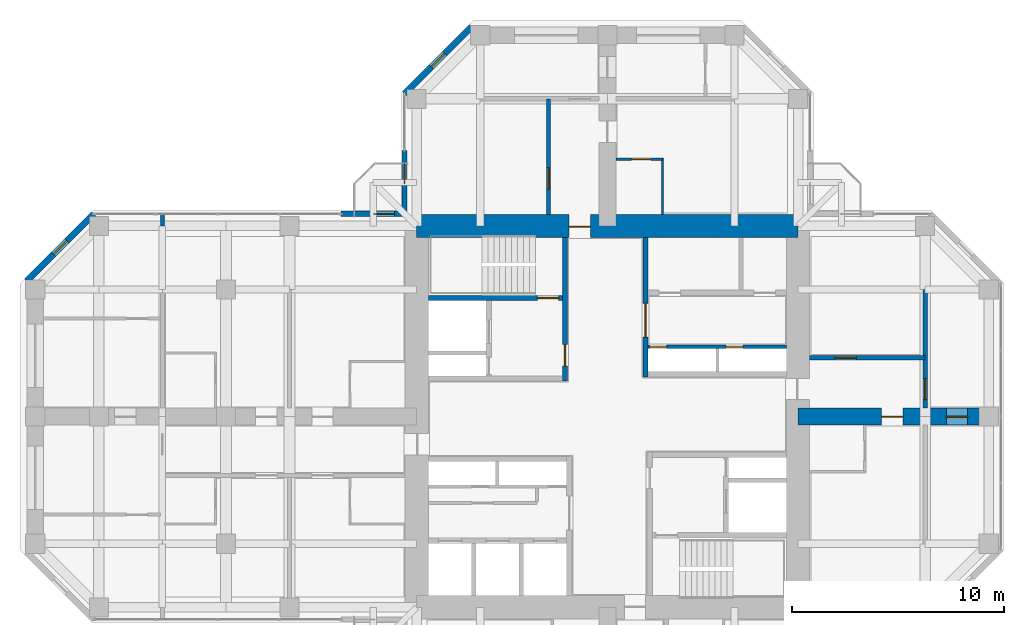
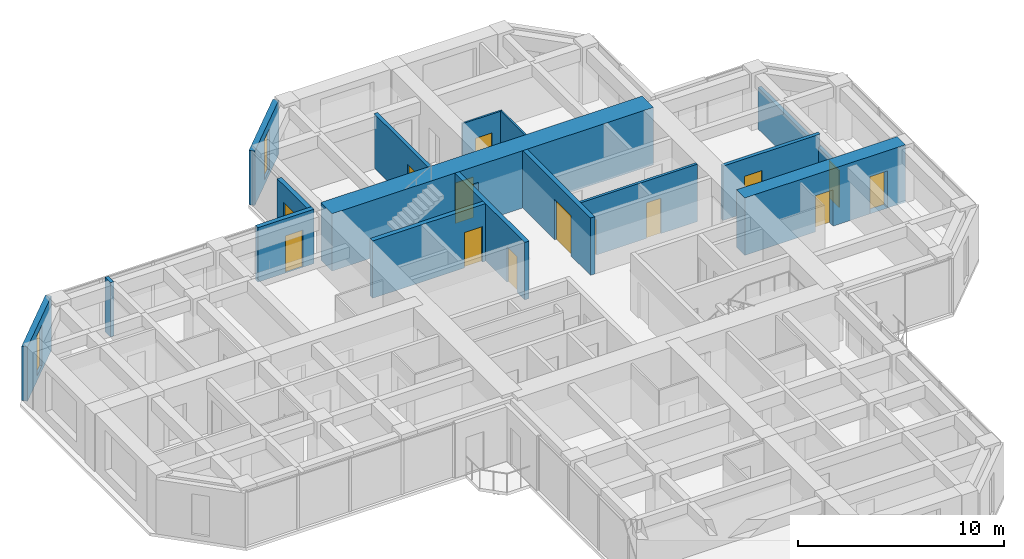
# One storey, part 11 of 13: 16 walls, 14 doors, 2 windows, 16 openings.
"""IFC4 building model written with IfcOpenShell, lengths in metres."""

from ifc_helpers import new_model, si_unit, direction, frame, frame_2d, origin, place, context, subcontext, project, spatial, rectangle, hollow_rectangle, extrude, material, layer, layer_set, constituent, constituent_set, type_object, element, fill, save


model = new_model("IFC4")

# Units and contexts
model_context = context("Model", 3, precision=1e-05, world=origin(), true_north=direction((0.0, 1.0)))
body_context = subcontext(model_context, "Body", "Model", "MODEL_VIEW")
ifc_project = project(units=[si_unit("LENGTHUNIT", "METRE"), si_unit("AREAUNIT", "SQUARE_METRE"), si_unit("VOLUMEUNIT", "CUBIC_METRE"), si_unit("PLANEANGLEUNIT", "RADIAN"), si_unit("MASSUNIT", "GRAM", prefix="KILO")], contexts=[model_context])

# Site, building, storey
site_placement = place(None, origin())
site = spatial("IfcSite", under=ifc_project, at=site_placement, CompositionType="ELEMENT")
building_placement = place(site_placement, origin())
building = spatial("IfcBuilding", under=site, at=building_placement, Name="Torre Cruceta", CompositionType="ELEMENT")
storey_placement = place(building_placement, frame((0.0, 0.0, 196.699951171875)))
storey = spatial("IfcBuildingStorey", under=building, at=storey_placement, Name="L49", CompositionType="ELEMENT", Elevation=196.699951171875)

# Wall
ifc_material_1 = material(Name="Water-resistant plasterboard on steel studs", Category="steel")
ifc_layer_1 = layer(ifc_material_1, 0.10009765625)
ifc_layer_set_1 = layer_set([ifc_layer_1], Name="Water-resistant plasterboard on steel studs")
wall_type_1 = type_object("IfcWallType", Name="BATHROOM WALL 100", PredefinedType="PARTITIONING", material=ifc_layer_set_1)
wall_1_placement = place(storey_placement, frame((2.60009765625, 9.550048828125, 0.0), z_axis=(0.0, 0.0, 1.0), x_axis=(0.0, 1.0, 0.0)))
element("IfcWall", 1, at=wall_1_placement, inside=storey, type_object=wall_type_1, Name="PT4 L49-N-U1RBB", PredefinedType="PARTITIONING", context=body_context, shape_type="SweptSolid", body=[
    extrude(rectangle(XDim=2.64990234375, YDim=0.10009765625, at=frame_2d((1.324951171875, 0.0))), origin(), (0.0, 0.0, 1.0), 3.219970703125),
])

# Wall, opening, door
wall_2_placement = place(storey_placement, frame((2.60009765625, 12.14990234375, 0.0), z_axis=(0.0, 0.0, 1.0), x_axis=(-1.0, 0.0, 0.0)))
wall_2 = element("IfcWall", 2, at=wall_2_placement, inside=storey, type_object=wall_type_1, Name="PT4 L49-N-U1RBS", PredefinedType="PARTITIONING", context=body_context, shape_type="SweptSolid", body=[
    extrude(rectangle(XDim=2.2001953125, YDim=0.10009765625, at=frame_2d((1.10009765625, 0.0))), origin(), (0.0, 0.0, 1.0), 3.219970703125),
])
opening_1_placement = place(wall_2_placement, frame((0.550048828125, 0.0, 0.0)))
opening_1 = element("IfcOpeningElement", 3, at=opening_1_placement, cuts=wall_2, Name="Opening D7", PredefinedType="OPENING", context=body_context, shape_type="SweptSolid", body=[
    extrude(rectangle(XDim=0.89990234375, YDim=2.10009765625, at=frame_2d((0.449951171875, 1.050048828125))), frame((0.0, 0.06005859375, 0.0), z_axis=(0.0, -1.0, 0.0), x_axis=(1.0, 0.0, 0.0)), (0.0, 0.0, 1.0), 0.1201171875),
])
ifc_material_2 = material(Name="Timber door", Category="wood")
door_type_1 = type_object("IfcDoorType", Name="BATHROOM DOOR 900X2100", OperationType="SINGLE_SWING_LEFT", PredefinedType="DOOR", material=ifc_material_2)
door_1_placement = place(opening_1_placement, origin())
door_1 = element("IfcDoor", 4, at=door_1_placement, inside=storey, type_object=door_type_1, Name="D7 L49-N-U1RBS-D1", OperationType="SINGLE_SWING_LEFT", OverallHeight=2.10009765625, OverallWidth=0.89990234375, PredefinedType="DOOR", context=body_context, shape_type="SweptSolid", body=[
    extrude(rectangle(XDim=0.89990234375, YDim=2.10009765625, at=frame_2d((0.449951171875, 1.050048828125))), frame((0.0, 0.02490234375, 0.0), z_axis=(0.0, -1.0, 0.0), x_axis=(1.0, 0.0, 0.0)), (0.0, 0.0, 1.0), 0.050048828125),
])
fill(opening_1, door_1)

ifc_material_3 = material(Name="Concrete G60 (fck 60 MPa)", Category="concrete")
ifc_layer_2 = layer(ifc_material_3, 0.25)
ifc_layer_set_2 = layer_set([ifc_layer_2], Name="Concrete G60 (fck 60 MPa)")
wall_type_2 = type_object("IfcWallType", Name="CORE INNER WALL 250 G60", PredefinedType="SHEAR", material=ifc_layer_set_2)
wall_3_placement = place(storey_placement, frame((1.800048828125, 1.875, 0.0), z_axis=(0.0, 0.0, 1.0), x_axis=(0.0, 1.0, 0.0)))
wall_3 = element("IfcWall", 5, at=wall_3_placement, inside=storey, type_object=wall_type_2, Name="CW4 L49 NE-CU", PredefinedType="SHEAR", context=body_context, shape_type="SweptSolid", body=[
    extrude(rectangle(XDim=6.574951171875, YDim=0.25, at=frame_2d((3.28759765625, 0.0))), origin(), (0.0, 0.0, 1.0), 3.400146484375),
])
opening_2_placement = place(wall_3_placement, frame((1.875, 0.0, 0.0)))
opening_2 = element("IfcOpeningElement", 6, at=opening_2_placement, cuts=wall_3, Name="Opening D15", PredefinedType="OPENING", context=body_context, shape_type="SweptSolid", body=[
    extrude(rectangle(XDim=1.60009765625, YDim=2.39990234375, at=frame_2d((0.800048828125, 1.199951171875))), frame((0.0, 0.135009765625, 0.0), z_axis=(0.0, -1.0, 0.0), x_axis=(1.0, 0.0, 0.0)), (0.0, 0.0, 1.0), 0.27001953125),
])
ifc_material_4 = material(Name="Steel DX51D", Category="steel")
ifc_constituent_1 = constituent(ifc_material_4, Name="Leaf and frame")
ifc_material_5 = material(Name="Polyester powder coating", Category="paint")
ifc_constituent_2 = constituent(ifc_material_5, Name="Finish")
ifc_constituent_set_1 = constituent_set(constituents=[ifc_constituent_1, ifc_constituent_2], Name="Steel fire door")
door_type_2 = type_object("IfcDoorType", Name="CORE ROOM DOUBLE DOOR 1600X2400", OperationType="DOUBLE_DOOR_SINGLE_SWING", PredefinedType="DOOR", material=ifc_constituent_set_1)
door_2_placement = place(opening_2_placement, frame((1.60009765625, 0.0, 0.0), z_axis=(0.0, 0.0, 1.0), x_axis=(-1.0, 0.0, 0.0)))
door_2 = element("IfcDoor", 7, at=door_2_placement, inside=storey, type_object=door_type_2, Name="D15 L49 NE-LOBBY", OperationType="DOUBLE_DOOR_SINGLE_SWING", OverallHeight=2.39990234375, OverallWidth=1.60009765625, PredefinedType="DOOR", context=body_context, shape_type="SweptSolid", body=[
    extrude(rectangle(XDim=1.60009765625, YDim=2.39990234375, at=frame_2d((0.800048828125, 1.199951171875))), frame((0.0, 0.025146484375, 0.0), z_axis=(0.0, -1.0, 0.0), x_axis=(1.0, 0.0, 0.0)), (0.0, 0.0, 1.0), 0.050048828125),
])
fill(opening_2, door_2)

wall_4_placement = place(storey_placement, frame((-2.0, 1.675048828125, 0.0), z_axis=(0.0, 0.0, 1.0), x_axis=(0.0, 1.0, 0.0)))
wall_4 = element("IfcWall", 8, at=wall_4_placement, inside=storey, type_object=wall_type_2, Name="CW4 L49 NW-CU", PredefinedType="SHEAR", context=body_context, shape_type="SweptSolid", body=[
    extrude(rectangle(XDim=6.77490234375, YDim=0.25, at=frame_2d((3.387451171875, 0.0))), origin(), (0.0, 0.0, 1.0), 3.400146484375),
])
opening_3_placement = place(wall_4_placement, frame((0.72509765625, 0.0, 0.0)))
opening_3 = element("IfcOpeningElement", 9, at=opening_3_placement, cuts=wall_4, Name="Opening D3", PredefinedType="OPENING", context=body_context, shape_type="SweptSolid", body=[
    extrude(rectangle(XDim=1.0, YDim=2.10009765625, at=frame_2d((0.5, 1.050048828125))), frame((0.0, 0.135009765625, 0.0), z_axis=(0.0, -1.0, 0.0), x_axis=(1.0, 0.0, 0.0)), (0.0, 0.0, 1.0), 0.27001953125),
])
ifc_material_6 = material(Name="Steel DX51D", Category="steel")
ifc_constituent_3 = constituent(ifc_material_6, Name="Leaf and frame")
ifc_material_7 = material(Name="Polyester powder coating", Category="paint")
ifc_constituent_4 = constituent(ifc_material_7, Name="Finish")
ifc_constituent_set_2 = constituent_set(constituents=[ifc_constituent_3, ifc_constituent_4], Name="Steel fire door")
door_type_3 = type_object("IfcDoorType", Name="FIRE DOOR 1000X2100", OperationType="SINGLE_SWING_LEFT", PredefinedType="DOOR", material=ifc_constituent_set_2)
door_3_placement = place(opening_3_placement, origin())
door_3 = element("IfcDoor", 10, at=door_3_placement, inside=storey, type_object=door_type_3, Name="D3 L49 NW-LOBBY", OperationType="SINGLE_SWING_LEFT", OverallHeight=2.10009765625, OverallWidth=1.0, PredefinedType="DOOR", context=body_context, shape_type="SweptSolid", body=[
    extrude(rectangle(XDim=1.0, YDim=2.10009765625, at=frame_2d((0.5, 1.050048828125))), frame((0.0, 0.02490234375, 0.0), z_axis=(0.0, -1.0, 0.0), x_axis=(1.0, 0.0, 0.0)), (0.0, 0.0, 1.0), 0.050048828125),
])
fill(opening_3, door_3)

wall_5_placement = place(storey_placement, frame((-2.125, 5.60009765625, 0.0), z_axis=(0.0, 0.0, 1.0), x_axis=(-1.0, 0.0, 0.0)))
wall_5 = element("IfcWall", 11, at=wall_5_placement, inside=storey, type_object=wall_type_2, Name="CW4 L49 NW-SV", PredefinedType="SHEAR", context=body_context, shape_type="SweptSolid", body=[
    extrude(rectangle(XDim=6.324951171875, YDim=0.25, at=frame_2d((3.16259765625, 0.0))), origin(), (0.0, 0.0, 1.0), 3.400146484375),
])
opening_4_placement = place(wall_5_placement, frame((0.175048828125, 0.0, 0.0)))
opening_4 = element("IfcOpeningElement", 12, at=opening_4_placement, cuts=wall_5, Name="Opening D3", PredefinedType="OPENING", context=body_context, shape_type="SweptSolid", body=[
    extrude(rectangle(XDim=1.0, YDim=2.10009765625, at=frame_2d((0.5, 1.050048828125))), frame((0.0, 0.135009765625, 0.0), z_axis=(0.0, -1.0, 0.0), x_axis=(1.0, 0.0, 0.0)), (0.0, 0.0, 1.0), 0.27001953125),
])
door_4_placement = place(opening_4_placement, frame((1.0, 0.0, 0.0), z_axis=(0.0, 0.0, 1.0), x_axis=(-1.0, 0.0, 0.0)))
door_4 = element("IfcDoor", 13, at=door_4_placement, inside=storey, type_object=door_type_3, Name="D3 L49 NW-STAIR", OperationType="SINGLE_SWING_RIGHT", OverallHeight=2.10009765625, OverallWidth=1.0, PredefinedType="DOOR", context=body_context, shape_type="SweptSolid", body=[
    extrude(rectangle(XDim=1.0, YDim=2.10009765625, at=frame_2d((0.5, 1.050048828125))), frame((0.0, 0.025146484375, 0.0), z_axis=(0.0, -1.0, 0.0), x_axis=(1.0, 0.0, 0.0)), (0.0, 0.0, 1.0), 0.050048828125),
])
fill(opening_4, door_4)

ifc_material_8 = material(Name="Concrete G60 (fck 60 MPa)", Category="concrete")
ifc_layer_3 = layer(ifc_material_8, 1.10009765625)
ifc_layer_set_3 = layer_set([ifc_layer_3], Name="Concrete G60 (fck 60 MPa)")
wall_type_3 = type_object("IfcWallType", Name="CORE WALL 1100 G60", PredefinedType="SHEAR", material=ifc_layer_set_3)
wall_6_placement = place(storey_placement, frame((9.0, 9.0, 0.0), z_axis=(0.0, 0.0, 1.0), x_axis=(-1.0, 0.0, 0.0)))
wall_6 = element("IfcWall", 14, at=wall_6_placement, inside=storey, type_object=wall_type_3, Name="CW2 L49 CW-N", PredefinedType="SHEAR", context=body_context, shape_type="SweptSolid", body=[
    extrude(rectangle(XDim=18.0, YDim=1.10009765625, at=frame_2d((9.0, 0.0))), origin(), (0.0, 0.0, 1.0), 3.400146484375),
])
opening_5_placement = place(wall_6_placement, frame((9.800048828125, 0.0, 0.0)))
opening_5 = element("IfcOpeningElement", 15, at=opening_5_placement, cuts=wall_6, Name="Opening D4", PredefinedType="OPENING", context=body_context, shape_type="SweptSolid", body=[
    extrude(rectangle(XDim=1.0, YDim=2.39990234375, at=frame_2d((0.5, 1.199951171875))), frame((0.0, 0.56005859375, 0.0), z_axis=(0.0, -1.0, 0.0), x_axis=(1.0, 0.0, 0.0)), (0.0, 0.0, 1.0), 1.1201171875),
])
ifc_material_9 = material(Name="Steel DX51D", Category="steel")
ifc_constituent_5 = constituent(ifc_material_9, Name="Leaf and frame")
ifc_material_10 = material(Name="Polyester powder coating", Category="paint")
ifc_constituent_6 = constituent(ifc_material_10, Name="Finish")
ifc_constituent_set_3 = constituent_set(constituents=[ifc_constituent_5, ifc_constituent_6], Name="Steel fire door")
door_type_4 = type_object("IfcDoorType", Name="CORE ARM DOOR 1000X2400", OperationType="SINGLE_SWING_RIGHT", PredefinedType="DOOR", material=ifc_constituent_set_3)
door_5_placement = place(opening_5_placement, origin())
door_5 = element("IfcDoor", 16, at=door_5_placement, inside=storey, type_object=door_type_4, Name="D4 L49 CW-N", OperationType="SINGLE_SWING_RIGHT", OverallHeight=2.39990234375, OverallWidth=1.0, PredefinedType="DOOR", context=body_context, shape_type="SweptSolid", body=[
    extrude(rectangle(XDim=1.0, YDim=2.39990234375, at=frame_2d((0.5, 1.199951171875))), frame((0.0, 0.05517578125, 0.0), z_axis=(0.0, -1.0, 0.0), x_axis=(1.0, 0.0, 0.0)), (0.0, 0.0, 1.0), 0.050048828125),
])
fill(opening_5, door_5)

ifc_material_11 = material(Name="Concrete G25 (fck 25 MPa)", Category="concrete")
ifc_layer_4 = layer(ifc_material_11, 0.199951171875)
ifc_layer_set_4 = layer_set([ifc_layer_4], Name="Concrete G25 (fck 25 MPa)")
wall_type_4 = type_object("IfcWallType", Name="CORRIDOR WALL 200", PredefinedType="SOLIDWALL", material=ifc_layer_set_4)
wall_7_placement = place(storey_placement, frame((-2.77490234375, 9.550048828125, 0.0), z_axis=(0.0, 0.0, 1.0), x_axis=(0.0, 1.0, 0.0)))
wall_7 = element("IfcWall", 17, at=wall_7_placement, inside=storey, type_object=wall_type_4, Name="PT3 L49-N-CL", PredefinedType="SOLIDWALL", context=body_context, shape_type="SweptSolid", body=[
    extrude(rectangle(XDim=5.449951171875, YDim=0.199951171875, at=frame_2d((2.72509765625, 0.0))), origin(), (0.0, 0.0, 1.0), 3.219970703125),
])
opening_6_placement = place(wall_7_placement, frame((1.199951171875, 0.0, 0.0)))
opening_6 = element("IfcOpeningElement", 18, at=opening_6_placement, cuts=wall_7, Name="Opening D14", PredefinedType="OPENING", context=body_context, shape_type="SweptSolid", body=[
    extrude(rectangle(XDim=1.0, YDim=2.199951171875, at=frame_2d((0.5, 1.10009765625))), frame((0.0, 0.10986328125, 0.0), z_axis=(0.0, -1.0, 0.0), x_axis=(1.0, 0.0, 0.0)), (0.0, 0.0, 1.0), 0.219970703125),
])
ifc_material_12 = material(Name="Steel DX51D", Category="steel")
ifc_constituent_7 = constituent(ifc_material_12, Name="Leaf and frame")
ifc_material_13 = material(Name="Polyester powder coating", Category="paint")
ifc_constituent_8 = constituent(ifc_material_13, Name="Finish")
ifc_material_14 = material(Name="Fire-resisting glass", Category="glass")
ifc_constituent_9 = constituent(ifc_material_14, Name="Vision panel")
ifc_constituent_set_4 = constituent_set(constituents=[ifc_constituent_7, ifc_constituent_8, ifc_constituent_9], Name="Steel fire door with vision panel")
door_type_5 = type_object("IfcDoorType", Name="FIRE DOOR VISION PANEL 1000X2200", OperationType="SINGLE_SWING_RIGHT", PredefinedType="DOOR", material=ifc_constituent_set_4)
door_6_placement = place(opening_6_placement, origin())
door_6 = element("IfcDoor", 19, at=door_6_placement, inside=storey, type_object=door_type_5, Name="D14 L49-N-CL-D1", OperationType="SINGLE_SWING_LEFT", OverallHeight=2.199951171875, OverallWidth=1.0, PredefinedType="DOOR", context=body_context, shape_type="SweptSolid", body=[
    extrude(rectangle(XDim=1.0, YDim=2.199951171875, at=frame_2d((0.5, 1.10009765625))), frame((0.0, 0.02490234375, 0.0), z_axis=(0.0, -1.0, 0.0), x_axis=(1.0, 0.0, 0.0)), (0.0, 0.0, 1.0), 0.050048828125),
])
fill(opening_6, door_6)

wall_8_placement = place(storey_placement, frame((9.550048828125, 2.77490234375, 0.0), z_axis=(0.0, 0.0, 1.0), x_axis=(1.0, 0.0, 0.0)))
wall_8 = element("IfcWall", 20, at=wall_8_placement, inside=storey, type_object=wall_type_4, Name="PT3 L49-E-CL", PredefinedType="SOLIDWALL", context=body_context, shape_type="SweptSolid", body=[
    extrude(rectangle(XDim=5.449951171875, YDim=0.199951171875, at=frame_2d((2.72509765625, 0.0))), origin(), (0.0, 0.0, 1.0), 3.219970703125),
])
opening_7_placement = place(wall_8_placement, frame((1.199951171875, 0.0, 0.0)))
opening_7 = element("IfcOpeningElement", 21, at=opening_7_placement, cuts=wall_8, Name="Opening D14", PredefinedType="OPENING", context=body_context, shape_type="SweptSolid", body=[
    extrude(rectangle(XDim=1.0, YDim=2.199951171875, at=frame_2d((0.5, 1.10009765625))), frame((0.0, 0.10986328125, 0.0), z_axis=(0.0, -1.0, 0.0), x_axis=(1.0, 0.0, 0.0)), (0.0, 0.0, 1.0), 0.219970703125),
])
door_7_placement = place(opening_7_placement, origin())
door_7 = element("IfcDoor", 22, at=door_7_placement, inside=storey, type_object=door_type_5, Name="D14 L49-E-CL-D1", OperationType="SINGLE_SWING_LEFT", OverallHeight=2.199951171875, OverallWidth=1.0, PredefinedType="DOOR", context=body_context, shape_type="SweptSolid", body=[
    extrude(rectangle(XDim=1.0, YDim=2.199951171875, at=frame_2d((0.5, 1.10009765625))), frame((0.0, 0.02490234375, 0.0), z_axis=(0.0, -1.0, 0.0), x_axis=(1.0, 0.0, 0.0)), (0.0, 0.0, 1.0), 0.050048828125),
])
fill(opening_7, door_7)

# Wall, opening, window
ifc_material_15 = material(Name="Concrete G30 (fck 30 MPa)", Category="concrete")
ifc_layer_5 = layer(ifc_material_15, 0.300048828125)
ifc_layer_set_5 = layer_set([ifc_layer_5], Name="Concrete G30 (fck 30 MPa)")
wall_type_5 = type_object("IfcWallType", Name="EXPOSED CONCRETE FACADE WALL 300", PredefinedType="SOLIDWALL", material=ifc_layer_set_5)
wall_9_placement = place(storey_placement, frame((-6.406005859375, 18.39990234375, 0.0), z_axis=(0.0, 0.0, 1.0), x_axis=(-0.707134062067, -0.707079499254, 0.0)))
wall_9 = element("IfcWall", 23, at=wall_9_placement, inside=storey, type_object=wall_type_5, Name="EW1 facade wall L49 N chamfer 08", PredefinedType="SOLIDWALL", context=body_context, shape_type="SweptSolid", body=[
    extrude(rectangle(XDim=4.474609375, YDim=0.300048828125, at=frame_2d((2.2373046875, 0.0))), origin(), (0.0, 0.0, 1.0), 3.219970703125),
])
opening_8_placement = place(wall_9_placement, frame((1.787109375, 0.0, 0.300048828125)))
opening_8 = element("IfcOpeningElement", 24, at=opening_8_placement, cuts=wall_9, Name="Opening WN5", PredefinedType="OPENING", context=body_context, shape_type="SweptSolid", body=[
    extrude(rectangle(XDim=0.89990234375, YDim=2.39990234375, at=frame_2d((0.449951171875, 1.199951171875))), frame((0.0, 0.159912109375, 0.0), z_axis=(0.0, -1.0, 0.0), x_axis=(1.0, 0.0, 0.0)), (0.0, 0.0, 1.0), 0.320068359375),
])
ifc_material_16 = material(Name="Aluminium window frame", Category="aluminium")
ifc_constituent_10 = constituent(ifc_material_16, Name="Frame")
ifc_material_17 = material(Name="Laminated insulating glass unit, low-iron clear", Category="glass")
ifc_constituent_11 = constituent(ifc_material_17, Name="Glazing")
ifc_constituent_set_5 = constituent_set(constituents=[ifc_constituent_10, ifc_constituent_11], Name="Aluminium window")
window_type = type_object("IfcWindowType", Name="CHAMFER SLOT WINDOW 900X2400", PartitioningType="SINGLE_PANEL", PredefinedType="WINDOW", material=ifc_constituent_set_5)
window_1_placement = place(opening_8_placement, origin())
window_1 = element("IfcWindow", 25, at=window_1_placement, inside=storey, type_object=window_type, Name="WN5 L49 N 1", OverallHeight=2.39990234375, OverallWidth=0.89990234375, PartitioningType="SINGLE_PANEL", PredefinedType="WINDOW", context=body_context, shape_type="SweptSolid", body=[
    extrude(hollow_rectangle(XDim=0.89990234375, YDim=2.39990234375, WallThickness=0.06005859375, at=frame_2d((0.449951171875, 1.199951171875))), frame((0.0, 0.030029296875, 0.0), z_axis=(0.0, -1.0, 0.0), x_axis=(1.0, 0.0, 0.0)), (0.0, 0.0, 1.0), 0.06005859375),
    extrude(rectangle(XDim=0.77880859375, YDim=2.27880859375, at=frame_2d((0.449951171875, 1.199951171875))), frame((0.0, 0.030029296875, 0.0), z_axis=(0.0, -1.0, 0.0), x_axis=(1.0, 0.0, 0.0)), (0.0, 0.0, 1.0), 0.06005859375),
])
fill(opening_8, window_1)

wall_10_placement = place(storey_placement, frame((-24.236083984375, 9.570068359375, 0.0), z_axis=(0.0, 0.0, 1.0), x_axis=(-0.707079499254, -0.707134062067, 0.0)))
wall_10 = element("IfcWall", 26, at=wall_10_placement, inside=storey, type_object=wall_type_5, Name="EW1 facade wall L49 W chamfer 11", PredefinedType="SOLIDWALL", context=body_context, shape_type="SweptSolid", body=[
    extrude(rectangle(XDim=4.474609375, YDim=0.300048828125, at=frame_2d((2.2373046875, 0.0))), origin(), (0.0, 0.0, 1.0), 3.219970703125),
])
opening_9_placement = place(wall_10_placement, frame((1.787109375, 0.0, 0.300048828125)))
opening_9 = element("IfcOpeningElement", 27, at=opening_9_placement, cuts=wall_10, Name="Opening WN5", PredefinedType="OPENING", context=body_context, shape_type="SweptSolid", body=[
    extrude(rectangle(XDim=0.89990234375, YDim=2.39990234375, at=frame_2d((0.449951171875, 1.199951171875))), frame((0.0, 0.159912109375, 0.0), z_axis=(0.0, -1.0, 0.0), x_axis=(1.0, 0.0, 0.0)), (0.0, 0.0, 1.0), 0.320068359375),
])
window_2_placement = place(opening_9_placement, origin())
window_2 = element("IfcWindow", 28, at=window_2_placement, inside=storey, type_object=window_type, Name="WN5 L49 W 1", OverallHeight=2.39990234375, OverallWidth=0.89990234375, PartitioningType="SINGLE_PANEL", PredefinedType="WINDOW", context=body_context, shape_type="SweptSolid", body=[
    extrude(hollow_rectangle(XDim=0.89990234375, YDim=2.39990234375, WallThickness=0.06005859375, at=frame_2d((0.449951171875, 1.199951171875))), frame((0.0, 0.030029296875, 0.0), z_axis=(0.0, -1.0, 0.0), x_axis=(1.0, 0.0, 0.0)), (0.0, 0.0, 1.0), 0.06005859375),
    extrude(rectangle(XDim=0.77880859375, YDim=2.27880859375, at=frame_2d((0.449951171875, 1.199951171875))), frame((0.0, 0.030029296875, 0.0), z_axis=(0.0, -1.0, 0.0), x_axis=(1.0, 0.0, 0.0)), (0.0, 0.0, 1.0), 0.06005859375),
])
fill(opening_9, window_2)

# Wall, openings, doors
ifc_material_18 = material(Name="Concrete block masonry", Category="masonry")
ifc_layer_6 = layer(ifc_material_18, 0.14990234375)
ifc_layer_set_6 = layer_set([ifc_layer_6], Name="Concrete block masonry")
wall_type_6 = type_object("IfcWallType", Name="RISER WALL 150", PredefinedType="PARTITIONING", material=ifc_layer_set_6)
wall_11_placement = place(storey_placement, frame((1.925048828125, 3.300048828125, 0.0), z_axis=(0.0, 0.0, 1.0), x_axis=(1.0, 0.0, 0.0)))
wall_11 = element("IfcWall", 29, at=wall_11_placement, inside=storey, type_object=wall_type_6, Name="SW7 L49 NE-RV", PredefinedType="PARTITIONING", context=body_context, shape_type="SweptSolid", body=[
    extrude(rectangle(XDim=6.52490234375, YDim=0.14990234375, at=frame_2d((3.262451171875, 0.0))), origin(), (0.0, 0.0, 1.0), 3.400146484375),
])
opening_10_placement = place(wall_11_placement, frame((0.074951171875, 0.0, 0.0)))
opening_10 = element("IfcOpeningElement", 30, at=opening_10_placement, cuts=wall_11, Name="Opening D5", PredefinedType="OPENING", context=body_context, shape_type="SweptSolid", body=[
    extrude(rectangle(XDim=0.800048828125, YDim=2.10009765625, at=frame_2d((0.39990234375, 1.050048828125))), frame((0.0, 0.0849609375, 0.0), z_axis=(0.0, -1.0, 0.0), x_axis=(1.0, 0.0, 0.0)), (0.0, 0.0, 1.0), 0.169921875),
])
opening_11_placement = place(wall_11_placement, frame((3.675048828125, 0.0, 0.0)))
opening_11 = element("IfcOpeningElement", 31, at=opening_11_placement, cuts=wall_11, Name="Opening D5", PredefinedType="OPENING", context=body_context, shape_type="SweptSolid", body=[
    extrude(rectangle(XDim=0.800048828125, YDim=2.10009765625, at=frame_2d((0.39990234375, 1.050048828125))), frame((0.0, 0.0849609375, 0.0), z_axis=(0.0, -1.0, 0.0), x_axis=(1.0, 0.0, 0.0)), (0.0, 0.0, 1.0), 0.169921875),
])
ifc_material_19 = material(Name="Steel DX51D", Category="steel")
ifc_constituent_12 = constituent(ifc_material_19, Name="Leaf and frame")
ifc_material_20 = material(Name="Polyester powder coating", Category="paint")
ifc_constituent_13 = constituent(ifc_material_20, Name="Finish")
ifc_constituent_set_6 = constituent_set(constituents=[ifc_constituent_12, ifc_constituent_13], Name="Steel fire door")
door_type_6 = type_object("IfcDoorType", Name="RISER ACCESS DOOR 800X2100", OperationType="SINGLE_SWING_LEFT", PredefinedType="DOOR", material=ifc_constituent_set_6)
door_8_placement = place(opening_10_placement, frame((0.800048828125, 0.0, 0.0), z_axis=(0.0, 0.0, 1.0), x_axis=(-1.0, 0.0, 0.0)))
door_8 = element("IfcDoor", 32, at=door_8_placement, inside=storey, type_object=door_type_6, Name="D5 L49 NE-RISER1", OperationType="SINGLE_SWING_RIGHT", OverallHeight=2.10009765625, OverallWidth=0.800048828125, PredefinedType="DOOR", context=body_context, shape_type="SweptSolid", body=[
    extrude(rectangle(XDim=0.800048828125, YDim=2.10009765625, at=frame_2d((0.400146484375, 1.050048828125))), frame((0.0, 0.025146484375, 0.0), z_axis=(0.0, -1.0, 0.0), x_axis=(1.0, 0.0, 0.0)), (0.0, 0.0, 1.0), 0.050048828125),
])
fill(opening_10, door_8)
door_9_placement = place(opening_11_placement, frame((0.800048828125, 0.0, 0.0), z_axis=(0.0, 0.0, 1.0), x_axis=(-1.0, 0.0, 0.0)))
door_9 = element("IfcDoor", 33, at=door_9_placement, inside=storey, type_object=door_type_6, Name="D5 L49 NE-RISER2", OperationType="SINGLE_SWING_RIGHT", OverallHeight=2.10009765625, OverallWidth=0.800048828125, PredefinedType="DOOR", context=body_context, shape_type="SweptSolid", body=[
    extrude(rectangle(XDim=0.800048828125, YDim=2.10009765625, at=frame_2d((0.400146484375, 1.050048828125))), frame((0.0, 0.025146484375, 0.0), z_axis=(0.0, -1.0, 0.0), x_axis=(1.0, 0.0, 0.0)), (0.0, 0.0, 1.0), 0.050048828125),
])
fill(opening_11, door_9)

ifc_material_21 = material(Name="Concrete G60 (fck 60 MPa)", Category="concrete")
ifc_layer_7 = layer(ifc_material_21, 0.800048828125)
ifc_layer_set_7 = layer_set([ifc_layer_7], Name="Concrete G60 (fck 60 MPa)")
wall_type_7 = type_object("IfcWallType", Name="SPINE WALL 800 G60", PredefinedType="SHEAR", material=ifc_layer_set_7)
wall_12_placement = place(storey_placement, frame((9.0, 0.0, 0.0), z_axis=(0.0, 0.0, 1.0), x_axis=(1.0, 0.0, 0.0)))
wall_12 = element("IfcWall", 34, at=wall_12_placement, inside=storey, type_object=wall_type_7, Name="SW4 spine wall L49 E", PredefinedType="SHEAR", context=body_context, shape_type="SweptSolid", body=[
    extrude(rectangle(XDim=9.0, YDim=0.800048828125, at=frame_2d((4.5, 0.0))), origin(), (0.0, 0.0, 1.0), 3.400146484375),
])
opening_12_placement = place(wall_12_placement, frame((3.949951171875, 0.0, 0.0)))
opening_12 = element("IfcOpeningElement", 35, at=opening_12_placement, cuts=wall_12, Name="Opening D6", PredefinedType="OPENING", context=body_context, shape_type="SweptSolid", body=[
    extrude(rectangle(XDim=1.0, YDim=2.14990234375, at=frame_2d((0.5, 1.074951171875))), frame((0.0, 0.409912109375, 0.0), z_axis=(0.0, -1.0, 0.0), x_axis=(1.0, 0.0, 0.0)), (0.0, 0.0, 1.0), 0.820068359375),
])
opening_13_placement = place(wall_12_placement, frame((7.0, 0.0, 0.0)))
opening_13 = element("IfcOpeningElement", 36, at=opening_13_placement, cuts=wall_12, Name="Opening D14", PredefinedType="OPENING", context=body_context, shape_type="SweptSolid", body=[
    extrude(rectangle(XDim=1.0, YDim=2.199951171875, at=frame_2d((0.5, 1.10009765625))), frame((0.0, 0.409912109375, 0.0), z_axis=(0.0, -1.0, 0.0), x_axis=(1.0, 0.0, 0.0)), (0.0, 0.0, 1.0), 0.820068359375),
])
door_10_placement = place(opening_13_placement, origin())
door_10 = element("IfcDoor", 37, at=door_10_placement, inside=storey, type_object=door_type_5, Name="D14 L49-E-SP2", OperationType="SINGLE_SWING_LEFT", OverallHeight=2.199951171875, OverallWidth=1.0, PredefinedType="DOOR", context=body_context, shape_type="SweptSolid", body=[
    extrude(rectangle(XDim=1.0, YDim=2.199951171875, at=frame_2d((0.5, 1.10009765625))), frame((0.0, 0.02490234375, 0.0), z_axis=(0.0, -1.0, 0.0), x_axis=(1.0, 0.0, 0.0)), (0.0, 0.0, 1.0), 0.050048828125),
])
fill(opening_13, door_10)
ifc_material_22 = material(Name="Timber fire door", Category="wood")
door_type_7 = type_object("IfcDoorType", Name="UNIT ENTRANCE DOOR 1000X2150", OperationType="SINGLE_SWING_LEFT", PredefinedType="DOOR", material=ifc_material_22)
door_11_placement = place(opening_12_placement, frame((1.0, 0.0, 0.0), z_axis=(0.0, 0.0, 1.0), x_axis=(-1.0, 0.0, 0.0)))
door_11 = element("IfcDoor", 38, at=door_11_placement, inside=storey, type_object=door_type_7, Name="D6 L49-E-SP1", OperationType="SINGLE_SWING_RIGHT", OverallHeight=2.14990234375, OverallWidth=1.0, PredefinedType="DOOR", context=body_context, shape_type="SweptSolid", body=[
    extrude(rectangle(XDim=1.0, YDim=2.14990234375, at=frame_2d((0.5, 1.074951171875))), frame((0.0, 0.025146484375, 0.0), z_axis=(0.0, -1.0, 0.0), x_axis=(1.0, 0.0, 0.0)), (0.0, 0.0, 1.0), 0.050048828125),
])
fill(opening_12, door_11)

# Wall, opening, door
ifc_material_23 = material(Name="Concrete G25 (fck 25 MPa)", Category="concrete")
ifc_layer_8 = layer(ifc_material_23, 0.199951171875)
ifc_layer_set_8 = layer_set([ifc_layer_8], Name="Concrete G25 (fck 25 MPa)")
wall_type_8 = type_object("IfcWallType", Name="UNIT SEPARATING WALL 200", PredefinedType="SOLIDWALL", material=ifc_layer_set_8)
wall_13_placement = place(storey_placement, frame((15.0, 0.39990234375, 0.0), z_axis=(0.0, 0.0, 1.0), x_axis=(0.0, 1.0, 0.0)))
wall_13 = element("IfcWall", 39, at=wall_13_placement, inside=storey, type_object=wall_type_8, Name="PT2 L49-E-ENDb", PredefinedType="SOLIDWALL", context=body_context, shape_type="SweptSolid", body=[
    extrude(rectangle(XDim=8.150146484375, YDim=0.199951171875, at=frame_2d((4.0751953125, 0.0))), origin(), (0.0, 0.0, 1.0), 2.469970703125),
])
opening_14_placement = place(wall_13_placement, frame((0.39990234375, 0.0, 0.0)))
opening_14 = element("IfcOpeningElement", 40, at=opening_14_placement, cuts=wall_13, Name="Opening D14", PredefinedType="OPENING", context=body_context, shape_type="SweptSolid", body=[
    extrude(rectangle(XDim=1.0, YDim=2.199951171875, at=frame_2d((0.5, 1.10009765625))), frame((0.0, 0.10986328125, 0.0), z_axis=(0.0, -1.0, 0.0), x_axis=(1.0, 0.0, 0.0)), (0.0, 0.0, 1.0), 0.219970703125),
])
door_12_placement = place(opening_14_placement, frame((1.0, 0.0, 0.0), z_axis=(0.0, 0.0, 1.0), x_axis=(-1.0, 0.0, 0.0)))
door_12 = element("IfcDoor", 41, at=door_12_placement, inside=storey, type_object=door_type_5, Name="D14 L49-E-ENDb-D1", OperationType="SINGLE_SWING_LEFT", OverallHeight=2.199951171875, OverallWidth=1.0, PredefinedType="DOOR", context=body_context, shape_type="SweptSolid", body=[
    extrude(rectangle(XDim=1.0, YDim=2.199951171875, at=frame_2d((0.5, 1.10009765625))), frame((0.0, 0.025146484375, 0.0), z_axis=(0.0, -1.0, 0.0), x_axis=(1.0, 0.0, 0.0)), (0.0, 0.0, 1.0), 0.050048828125),
])
fill(opening_14, door_12)

# Wall
wall_14_placement = place(storey_placement, frame((-21.0, 9.530029296875, 0.0), z_axis=(0.0, 0.0, 1.0), x_axis=(0.0, -1.0, 0.0)))
element("IfcWall", 42, at=wall_14_placement, inside=storey, type_object=wall_type_8, Name="PT2 L49-W-ENDa", PredefinedType="SOLIDWALL", context=body_context, shape_type="SweptSolid", body=[
    extrude(rectangle(XDim=0.530029296875, YDim=0.199951171875, at=frame_2d((0.26513671875, 0.0))), origin(), (0.0, 0.0, 1.0), 3.219970703125),
])

# Wall, opening, door
ifc_material_24 = material(Name="Concrete G30 (fck 30 MPa)", Category="concrete")
ifc_layer_9 = layer(ifc_material_24, 0.25)
ifc_layer_set_9 = layer_set([ifc_layer_9], Name="Concrete G30 (fck 30 MPa)")
wall_type_9 = type_object("IfcWallType", Name="WINTER GARDEN WALL 250", PredefinedType="SOLIDWALL", material=ifc_layer_set_9)
wall_15_placement = place(storey_placement, frame((-9.570068359375, 12.570068359375, 0.0), z_axis=(0.0, 0.0, 1.0), x_axis=(0.0, -1.0, 0.0)))
wall_15 = element("IfcWall", 43, at=wall_15_placement, inside=storey, type_object=wall_type_9, Name="EW2 winter garden wall L49 09", PredefinedType="SOLIDWALL", context=body_context, shape_type="SweptSolid", body=[
    extrude(rectangle(XDim=2.875, YDim=0.25, at=frame_2d((1.4375, 0.0))), origin(), (0.0, 0.0, 1.0), 3.219970703125),
])
opening_15_placement = place(wall_15_placement, frame((0.60009765625, 0.0, 0.0)))
opening_15 = element("IfcOpeningElement", 44, at=opening_15_placement, cuts=wall_15, Name="Opening D10", PredefinedType="OPENING", context=body_context, shape_type="SweptSolid", body=[
    extrude(rectangle(XDim=1.0, YDim=2.199951171875, at=frame_2d((0.5, 1.10009765625))), frame((0.0, 0.135009765625, 0.0), z_axis=(0.0, -1.0, 0.0), x_axis=(1.0, 0.0, 0.0)), (0.0, 0.0, 1.0), 0.27001953125),
])
ifc_material_25 = material(Name="Aluminium door frame", Category="aluminium")
ifc_constituent_14 = constituent(ifc_material_25, Name="Frame")
ifc_material_26 = material(Name="Laminated safety glass", Category="glass")
ifc_constituent_15 = constituent(ifc_material_26, Name="Glazing")
ifc_constituent_set_7 = constituent_set(constituents=[ifc_constituent_14, ifc_constituent_15], Name="Aluminium glazed door")
door_type_8 = type_object("IfcDoorType", Name="BALCONY DOOR 1000X2200", OperationType="SINGLE_SWING_RIGHT", PredefinedType="DOOR", material=ifc_constituent_set_7)
door_13_placement = place(opening_15_placement, origin())
door_13 = element("IfcDoor", 45, at=door_13_placement, inside=storey, type_object=door_type_8, Name="D10 balcony door L49 09", OperationType="SINGLE_SWING_RIGHT", OverallHeight=2.199951171875, OverallWidth=1.0, PredefinedType="DOOR", context=body_context, shape_type="SweptSolid", body=[
    extrude(hollow_rectangle(XDim=1.0, YDim=2.199951171875, WallThickness=0.06005859375, at=frame_2d((0.5, 1.10009765625))), frame((0.0, 0.02490234375, 0.0), z_axis=(0.0, -1.0, 0.0), x_axis=(1.0, 0.0, 0.0)), (0.0, 0.0, 1.0), 0.050048828125),
    extrude(rectangle(XDim=0.87890625, YDim=2.078857421875, at=frame_2d((0.5, 1.10009765625))), frame((0.0, 0.02490234375, 0.0), z_axis=(0.0, -1.0, 0.0), x_axis=(1.0, 0.0, 0.0)), (0.0, 0.0, 1.0), 0.050048828125),
])
fill(opening_15, door_13)

wall_16_placement = place(storey_placement, frame((-9.445068359375, 9.570068359375, 0.0), z_axis=(0.0, 0.0, 1.0), x_axis=(-1.0, 0.0, 0.0)))
wall_16 = element("IfcWall", 46, at=wall_16_placement, inside=storey, type_object=wall_type_9, Name="EW2 winter garden wall L49 10", PredefinedType="SOLIDWALL", context=body_context, shape_type="SweptSolid", body=[
    extrude(rectangle(XDim=3.125, YDim=0.25, at=frame_2d((1.5625, 0.0))), origin(), (0.0, 0.0, 1.0), 3.219970703125),
])
opening_16_placement = place(wall_16_placement, frame((0.60009765625, 0.0, 0.0)))
opening_16 = element("IfcOpeningElement", 47, at=opening_16_placement, cuts=wall_16, Name="Opening D10", PredefinedType="OPENING", context=body_context, shape_type="SweptSolid", body=[
    extrude(rectangle(XDim=1.0, YDim=2.199951171875, at=frame_2d((0.5, 1.10009765625))), frame((0.0, 0.135009765625, 0.0), z_axis=(0.0, -1.0, 0.0), x_axis=(1.0, 0.0, 0.0)), (0.0, 0.0, 1.0), 0.27001953125),
])
door_14_placement = place(opening_16_placement, origin())
door_14 = element("IfcDoor", 48, at=door_14_placement, inside=storey, type_object=door_type_8, Name="D10 balcony door L49 10", OperationType="SINGLE_SWING_LEFT", OverallHeight=2.199951171875, OverallWidth=1.0, PredefinedType="DOOR", context=body_context, shape_type="SweptSolid", body=[
    extrude(hollow_rectangle(XDim=1.0, YDim=2.199951171875, WallThickness=0.06005859375, at=frame_2d((0.5, 1.10009765625))), frame((0.0, 0.02490234375, 0.0), z_axis=(0.0, -1.0, 0.0), x_axis=(1.0, 0.0, 0.0)), (0.0, 0.0, 1.0), 0.050048828125),
    extrude(rectangle(XDim=0.87890625, YDim=2.078857421875, at=frame_2d((0.5, 1.10009765625))), frame((0.0, 0.02490234375, 0.0), z_axis=(0.0, -1.0, 0.0), x_axis=(1.0, 0.0, 0.0)), (0.0, 0.0, 1.0), 0.050048828125),
])
fill(opening_16, door_14)

save(model, "model.ifc")
